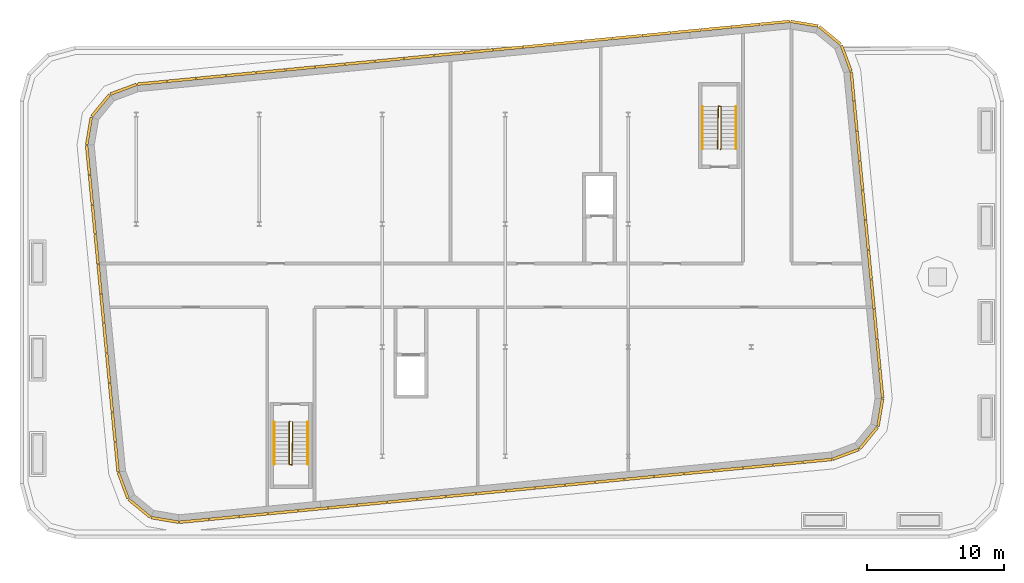
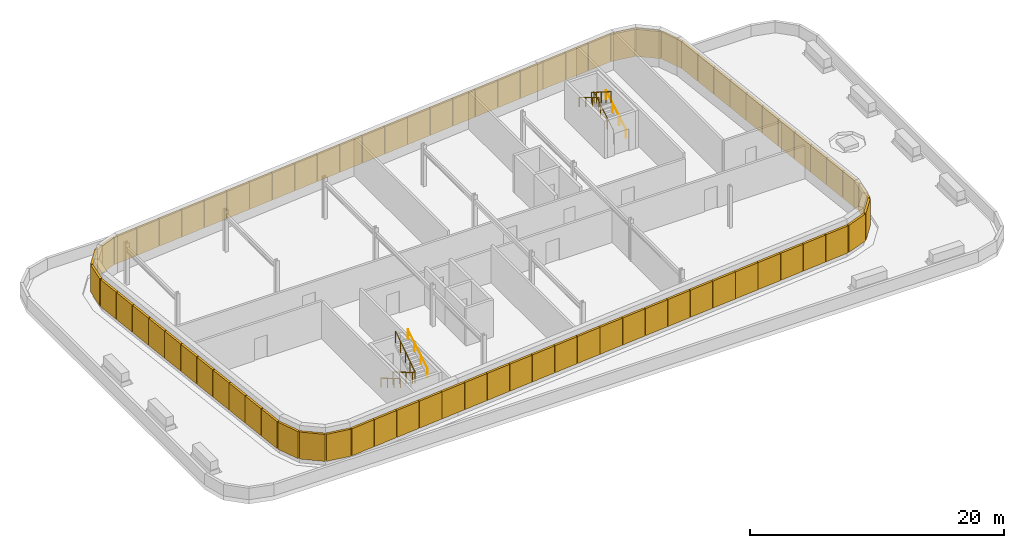
# One storey, part 6 of 7: 78 shading devices, 6 railings.
"""IFC4 building model written with IfcOpenShell, lengths in metres."""

from ifc_helpers import new_model, si_unit, direction, frame, origin, origin_2d, place, context, subcontext, project, spatial, rectangle, circle, extrude, material, type_object, element, save


model = new_model("IFC4")

# Units and contexts
model_context = context("Model", 3, precision=1e-05, world=origin(), true_north=direction((0.0, 1.0)))
body_context = subcontext(model_context, "Body", "Model", "MODEL_VIEW")
ifc_project = project(units=[si_unit("LENGTHUNIT", "METRE"), si_unit("AREAUNIT", "SQUARE_METRE"), si_unit("VOLUMEUNIT", "CUBIC_METRE"), si_unit("PLANEANGLEUNIT", "RADIAN"), si_unit("MASSUNIT", "GRAM", prefix="KILO")], contexts=[model_context])

# Site, building, storey
site_placement = place(None, origin())
site = spatial("IfcSite", under=ifc_project, at=site_placement, CompositionType="ELEMENT")
building_placement = place(site_placement, origin())
building = spatial("IfcBuilding", under=site, at=building_placement, Name="Kajstack Hotel Tower", CompositionType="ELEMENT")
storey_placement = place(building_placement, frame((0.0, 0.0, 317.800048828125)))
storey = spatial("IfcBuildingStorey", under=building, at=storey_placement, Name="L80", CompositionType="ELEMENT", Elevation=317.800048828125)

# Railings
ifc_material = material(Name="Steel S355J2", Category="steel")
railing_type_1 = type_object("IfcRailingType", Name="Stair guard 1100", PredefinedType="GUARDRAIL", material=ifc_material)
railing_1_placement = place(storey_placement, frame((-15.75, -9.949951171875, 0.0)))
element("IfcRailing", 1, at=railing_1_placement, inside=storey, type_object=railing_type_1, Name="L80 W2 stair guard 1", PredefinedType="GUARDRAIL", context=body_context, shape_type="SweptSolid", body=[
    extrude(circle(Radius=0.02392578125, at=origin_2d()), frame((0.0, 0.0, 1.076171875), z_axis=(-0.27662974545, -0.27662974545, 0.920299933644), x_axis=(0.707106781187, -0.707106781187, 0.0)), (0.0, 0.0, 1.0), 0.180908203125),
    extrude(circle(Radius=0.02392578125, at=origin_2d()), frame((-0.050048828125, -0.050048828125, 1.24267578125), z_axis=(0.0, -0.85927862911, 0.511507807912), x_axis=(1.0, 0.0, 0.0)), (0.0, 0.0, 1.0), 3.58447265625),
    extrude(circle(Radius=0.02392578125, at=origin_2d()), frame((-0.050048828125, -3.130126953125, 3.076171875), z_axis=(0.970351222016, -0.241699205484, 0.0), x_axis=(0.241699205484, 0.970351222016, 0.0)), (0.0, 0.0, 1.0), 0.2060546875),
    extrude(circle(Radius=0.02392578125, at=origin_2d()), frame((0.14990234375, -3.179931640625, 3.076171875), z_axis=(0.013473340278, 0.842576694466, 0.538407822236), x_axis=(-0.999872174235, 0.01598859561, 0.0)), (0.0, 0.0, 1.0), 3.714599609375),
    extrude(circle(Radius=0.02099609375, at=origin_2d()), origin(), (0.0, 0.0, 1.0), 1.052001953125),
    extrude(circle(Radius=0.02099609375, at=origin_2d()), frame((-0.050048828125, -0.050048828125, 0.16650390625)), (0.0, 0.0, 1.0), 1.052001953125),
    extrude(circle(Radius=0.02099609375, at=origin_2d()), frame((-0.050048828125, -1.07666015625, 0.777587890625)), (0.0, 0.0, 1.0), 1.052001953125),
    extrude(circle(Radius=0.02099609375, at=origin_2d()), frame((-0.050048828125, -2.103515625, 1.388916015625)), (0.0, 0.0, 1.0), 1.052001953125),
    extrude(circle(Radius=0.02099609375, at=origin_2d()), frame((-0.050048828125, -3.130126953125, 2.0)), (0.0, 0.0, 1.0), 1.052001953125),
    extrude(circle(Radius=0.02099609375, at=origin_2d()), frame((0.14990234375, -3.179931640625, 2.0)), (0.0, 0.0, 1.0), 1.052001953125),
    extrude(circle(Radius=0.02099609375, at=origin_2d()), frame((0.162353515625, -2.3974609375, 2.5)), (0.0, 0.0, 1.0), 1.052001953125),
    extrude(circle(Radius=0.02099609375, at=origin_2d()), frame((0.1748046875, -1.614990234375, 3.0)), (0.0, 0.0, 1.0), 1.052001953125),
    extrude(circle(Radius=0.02099609375, at=origin_2d()), frame((0.1875, -0.83251953125, 3.5)), (0.0, 0.0, 1.0), 1.052001953125),
    extrude(circle(Radius=0.02099609375, at=origin_2d()), frame((0.199951171875, -0.050048828125, 4.0)), (0.0, 0.0, 1.0), 1.052001953125),
])
railing_2_placement = place(storey_placement, frame((15.75, 9.949951171875, 0.0)))
element("IfcRailing", 2, at=railing_2_placement, inside=storey, type_object=railing_type_1, Name="L80 E2 stair guard 1", PredefinedType="GUARDRAIL", context=body_context, shape_type="SweptSolid", body=[
    extrude(circle(Radius=0.02392578125, at=origin_2d()), frame((0.0, 0.0, 1.076171875), z_axis=(0.27662974545, 0.27662974545, 0.920299933644), x_axis=(-0.707106781187, 0.707106781187, 0.0)), (0.0, 0.0, 1.0), 0.180908203125),
    extrude(circle(Radius=0.02392578125, at=origin_2d()), frame((0.050048828125, 0.050048828125, 1.24267578125), z_axis=(0.0, 0.85927862911, 0.511507807912), x_axis=(-1.0, 0.0, 0.0)), (0.0, 0.0, 1.0), 3.58447265625),
    extrude(circle(Radius=0.02392578125, at=origin_2d()), frame((0.050048828125, 3.130126953125, 3.076171875), z_axis=(-0.970351222016, 0.241699205484, 0.0), x_axis=(-0.241699205484, -0.970351222016, 0.0)), (0.0, 0.0, 1.0), 0.2060546875),
    extrude(circle(Radius=0.02392578125, at=origin_2d()), frame((-0.14990234375, 3.179931640625, 3.076171875), z_axis=(-0.013473340278, -0.842576694466, 0.538407822236), x_axis=(0.999872174235, -0.01598859561, 0.0)), (0.0, 0.0, 1.0), 3.714599609375),
    extrude(circle(Radius=0.02099609375, at=origin_2d()), origin(), (0.0, 0.0, 1.0), 1.052001953125),
    extrude(circle(Radius=0.02099609375, at=origin_2d()), frame((0.050048828125, 0.050048828125, 0.16650390625)), (0.0, 0.0, 1.0), 1.052001953125),
    extrude(circle(Radius=0.02099609375, at=origin_2d()), frame((0.050048828125, 1.07666015625, 0.777587890625)), (0.0, 0.0, 1.0), 1.052001953125),
    extrude(circle(Radius=0.02099609375, at=origin_2d()), frame((0.050048828125, 2.103515625, 1.388916015625)), (0.0, 0.0, 1.0), 1.052001953125),
    extrude(circle(Radius=0.02099609375, at=origin_2d()), frame((0.050048828125, 3.130126953125, 2.0)), (0.0, 0.0, 1.0), 1.052001953125),
    extrude(circle(Radius=0.02099609375, at=origin_2d()), frame((-0.14990234375, 3.179931640625, 2.0)), (0.0, 0.0, 1.0), 1.052001953125),
    extrude(circle(Radius=0.02099609375, at=origin_2d()), frame((-0.162353515625, 2.3974609375, 2.5)), (0.0, 0.0, 1.0), 1.052001953125),
    extrude(circle(Radius=0.02099609375, at=origin_2d()), frame((-0.1748046875, 1.614990234375, 3.0)), (0.0, 0.0, 1.0), 1.052001953125),
    extrude(circle(Radius=0.02099609375, at=origin_2d()), frame((-0.1875, 0.83251953125, 3.5)), (0.0, 0.0, 1.0), 1.052001953125),
    extrude(circle(Radius=0.02099609375, at=origin_2d()), frame((-0.199951171875, 0.050048828125, 4.0)), (0.0, 0.0, 1.0), 1.052001953125),
])
railing_type_2 = type_object("IfcRailingType", Name="Stair handrail 900", PredefinedType="HANDRAIL", material=ifc_material)
railing_3_placement = place(storey_placement, frame((-16.89990234375, -10.0, 0.16650390625)))
element("IfcRailing", 3, at=railing_3_placement, inside=storey, type_object=railing_type_2, Name="L80 W2 stair handrail 1", PredefinedType="HANDRAIL", context=body_context, shape_type="SweptSolid", body=[
    extrude(circle(Radius=0.02392578125, at=origin_2d()), frame((0.0, 0.0, 0.8759765625), z_axis=(0.0, -0.85927862911, 0.511507807912), x_axis=(1.0, 0.0, 0.0)), (0.0, 0.0, 1.0), 3.58447265625),
    extrude(circle(Radius=0.02099609375, at=origin_2d()), origin(), (0.0, 0.0, 1.0), 0.851806640625),
    extrude(circle(Radius=0.02099609375, at=origin_2d()), frame((0.0, -1.026611328125, 0.611083984375)), (0.0, 0.0, 1.0), 0.851806640625),
    extrude(circle(Radius=0.02099609375, at=origin_2d()), frame((0.0, -2.053466796875, 1.222412109375)), (0.0, 0.0, 1.0), 0.851806640625),
    extrude(circle(Radius=0.02099609375, at=origin_2d()), frame((0.0, -3.080078125, 1.83349609375)), (0.0, 0.0, 1.0), 0.851806640625),
])
for number, where, name in (
    (4, (-14.449951171875, -13.080078125, 2.16650390625), "L80 W2 stair handrail 2"),
    (5, (16.89990234375, 10.0, 0.16650390625), "L80 E2 stair handrail 1"),
):
    element("IfcRailing", number, at=place(storey_placement, frame(where)), inside=storey, type_object=railing_type_2, Name=name, PredefinedType="HANDRAIL", context=body_context, shape_type="SweptSolid", body=[
        extrude(circle(Radius=0.02392578125, at=origin_2d()), frame((0.0, 0.0, 0.8759765625), z_axis=(0.0, 0.85927862911, 0.511507807912), x_axis=(-1.0, 0.0, 0.0)), (0.0, 0.0, 1.0), 3.58447265625),
        extrude(circle(Radius=0.02099609375, at=origin_2d()), origin(), (0.0, 0.0, 1.0), 0.851806640625),
        extrude(circle(Radius=0.02099609375, at=origin_2d()), frame((0.0, 1.026611328125, 0.611083984375)), (0.0, 0.0, 1.0), 0.851806640625),
        extrude(circle(Radius=0.02099609375, at=origin_2d()), frame((0.0, 2.053466796875, 1.222412109375)), (0.0, 0.0, 1.0), 0.851806640625),
        extrude(circle(Radius=0.02099609375, at=origin_2d()), frame((0.0, 3.080078125, 1.83349609375)), (0.0, 0.0, 1.0), 0.851806640625),
    ])
railing_4_placement = place(storey_placement, frame((14.449951171875, 13.080078125, 2.16650390625)))
element("IfcRailing", 6, at=railing_4_placement, inside=storey, type_object=railing_type_2, Name="L80 E2 stair handrail 2", PredefinedType="HANDRAIL", context=body_context, shape_type="SweptSolid", body=[
    extrude(circle(Radius=0.02392578125, at=origin_2d()), frame((0.0, 0.0, 0.8759765625), z_axis=(0.0, -0.85927862911, 0.511507807912), x_axis=(1.0, 0.0, 0.0)), (0.0, 0.0, 1.0), 3.58447265625),
    extrude(circle(Radius=0.02099609375, at=origin_2d()), origin(), (0.0, 0.0, 1.0), 0.851806640625),
    extrude(circle(Radius=0.02099609375, at=origin_2d()), frame((0.0, -1.026611328125, 0.611083984375)), (0.0, 0.0, 1.0), 0.851806640625),
    extrude(circle(Radius=0.02099609375, at=origin_2d()), frame((0.0, -2.053466796875, 1.222412109375)), (0.0, 0.0, 1.0), 0.851806640625),
    extrude(circle(Radius=0.02099609375, at=origin_2d()), frame((0.0, -3.080078125, 1.83349609375)), (0.0, 0.0, 1.0), 0.851806640625),
])

# Shading devices
for number, where, z_axis, x_axis, name in (
    (7, (-30.51611328125, 9.16552734375, 0.5), (0.0, 0.0, 1.0), (0.095845874131, -0.995396186657, 0.0), "Louvre L80-00-01"),
    (8, (-30.30712890625, 6.993896484375, 0.5), (0.0, 0.0, 1.0), (0.095845874131, -0.995396186657, 0.0), "Louvre L80-00-02"),
    (9, (-30.097900390625, 4.822021484375, 0.5), (0.0, 0.0, 1.0), (0.095845874131, -0.995396186657, 0.0), "Louvre L80-00-03"),
    (10, (-29.888916015625, 2.650390625, 0.5), (0.0, 0.0, 1.0), (0.095845874131, -0.995396186657, 0.0), "Louvre L80-00-04"),
    (11, (-29.6796875, 0.478515625, 0.5), (0.0, 0.0, 1.0), (0.095845874131, -0.995396186657, 0.0), "Louvre L80-00-05"),
    (12, (-29.470703125, -1.693115234375, 0.5), (0.0, 0.0, 1.0), (0.095845874131, -0.995396186657, 0.0), "Louvre L80-00-06"),
    (13, (-29.261474609375, -3.864990234375, 0.5), (0.0, 0.0, 1.0), (0.095845874131, -0.995396186657, 0.0), "Louvre L80-00-07"),
    (14, (-29.05224609375, -6.036865234375, 0.5), (0.0, 0.0, 1.0), (0.095845874131, -0.995396186657, 0.0), "Louvre L80-00-08"),
    (15, (-28.84326171875, -8.20849609375, 0.5), (0.0, 0.0, 1.0), (0.095845874131, -0.995396186657, 0.0), "Louvre L80-00-09"),
    (16, (-28.634033203125, -10.38037109375, 0.5), (0.0, 0.0, 1.0), (0.095845874131, -0.995396186657, 0.0), "Louvre L80-00-10"),
    (17, (-28.425048828125, -12.552001953125, 0.5), (0.0, 0.0, 1.0), (0.095845874131, -0.995396186657, 0.0), "Louvre L80-00-11"),
):
    element("IfcShadingDevice", number, at=place(storey_placement, frame(where, z_axis=z_axis, x_axis=x_axis)), inside=storey, Name=name, ObjectType="LOUVRE", PredefinedType="USERDEFINED", context=body_context, shape_type="SweptSolid", body=[
        extrude(rectangle(XDim=2.141845703125, YDim=0.199951171875, at=origin_2d()), origin(), (0.0, 0.0, 1.0), 2.60009765625),
    ])
for number, where, z_axis, x_axis, name in (
    (18, (-27.951904296875, -14.633056640625, 0.5), (0.0, 0.0, 1.0), (0.350186472063, -0.936680006611, 0.0), "Louvre L80-01-01"),
    (19, (-26.760498046875, -16.303466796875, 0.5), (0.0, 0.0, 1.0), (0.771634596989, -0.636066072614, 0.0), "Louvre L80-02-01"),
    (20, (-24.8935546875, -17.154296875, 0.5), (0.0, 0.0, 1.0), (0.986287986591, -0.165033352708, 0.0), "Louvre L80-03-01"),
):
    element("IfcShadingDevice", number, at=place(storey_placement, frame(where, z_axis=z_axis, x_axis=x_axis)), inside=storey, Name=name, ObjectType="LOUVRE", PredefinedType="USERDEFINED", context=body_context, shape_type="SweptSolid", body=[
        extrude(rectangle(XDim=2.030517578125, YDim=0.199951171875, at=origin_2d()), origin(), (0.0, 0.0, 1.0), 2.60009765625),
    ])
for number, where, z_axis, x_axis, name in (
    (21, (-22.760498046875, -17.2216796875, 0.5), (0.0, 0.0, 1.0), (0.995396186657, 0.095845874131, 0.0), "Louvre L80-04-01"),
    (22, (-20.5888671875, -17.012451171875, 0.5), (0.0, 0.0, 1.0), (0.995396186657, 0.095845874131, 0.0), "Louvre L80-04-02"),
    (23, (-18.4169921875, -16.80322265625, 0.5), (0.0, 0.0, 1.0), (0.995396186657, 0.095845874131, 0.0), "Louvre L80-04-03"),
    (24, (-16.2451171875, -16.59423828125, 0.5), (0.0, 0.0, 1.0), (0.995396186657, 0.095845874131, 0.0), "Louvre L80-04-04"),
    (25, (-14.073486328125, -16.385009765625, 0.5), (0.0, 0.0, 1.0), (0.995396186657, 0.095845874131, 0.0), "Louvre L80-04-05"),
    (26, (-11.901611328125, -16.176025390625, 0.5), (0.0, 0.0, 1.0), (0.995396186657, 0.095845874131, 0.0), "Louvre L80-04-06"),
    (27, (-9.72998046875, -15.966796875, 0.5), (0.0, 0.0, 1.0), (0.995396186657, 0.095845874131, 0.0), "Louvre L80-04-07"),
    (28, (-7.55810546875, -15.7578125, 0.5), (0.0, 0.0, 1.0), (0.995396186657, 0.095845874131, 0.0), "Louvre L80-04-08"),
    (29, (-5.38623046875, -15.548583984375, 0.5), (0.0, 0.0, 1.0), (0.995396186657, 0.095845874131, 0.0), "Louvre L80-04-09"),
    (30, (-3.214599609375, -15.339599609375, 0.5), (0.0, 0.0, 1.0), (0.995396186657, 0.095845874131, 0.0), "Louvre L80-04-10"),
    (31, (-1.042724609375, -15.13037109375, 0.5), (0.0, 0.0, 1.0), (0.995396186657, 0.095845874131, 0.0), "Louvre L80-04-11"),
    (32, (1.12890625, -14.92138671875, 0.5), (0.0, 0.0, 1.0), (0.995396186657, 0.095845874131, 0.0), "Louvre L80-04-12"),
    (33, (3.30078125, -14.712158203125, 0.5), (0.0, 0.0, 1.0), (0.995396186657, 0.095845874131, 0.0), "Louvre L80-04-13"),
    (34, (5.472412109375, -14.5029296875, 0.5), (0.0, 0.0, 1.0), (0.995396186657, 0.095845874131, 0.0), "Louvre L80-04-14"),
    (35, (7.644287109375, -14.2939453125, 0.5), (0.0, 0.0, 1.0), (0.995396186657, 0.095845874131, 0.0), "Louvre L80-04-15"),
    (36, (9.816162109375, -14.084716796875, 0.5), (0.0, 0.0, 1.0), (0.995396186657, 0.095845874131, 0.0), "Louvre L80-04-16"),
    (37, (11.98779296875, -13.875732421875, 0.5), (0.0, 0.0, 1.0), (0.995396186657, 0.095845874131, 0.0), "Louvre L80-04-17"),
    (38, (14.15966796875, -13.66650390625, 0.5), (0.0, 0.0, 1.0), (0.995396186657, 0.095845874131, 0.0), "Louvre L80-04-18"),
    (39, (16.331298828125, -13.45751953125, 0.5), (0.0, 0.0, 1.0), (0.995396186657, 0.095845874131, 0.0), "Louvre L80-04-19"),
    (40, (18.503173828125, -13.248291015625, 0.5), (0.0, 0.0, 1.0), (0.995396186657, 0.095845874131, 0.0), "Louvre L80-04-20"),
    (41, (20.6748046875, -13.039306640625, 0.5), (0.0, 0.0, 1.0), (0.995396186657, 0.095845874131, 0.0), "Louvre L80-04-21"),
    (42, (22.8466796875, -12.830078125, 0.5), (0.0, 0.0, 1.0), (0.995396186657, 0.095845874131, 0.0), "Louvre L80-04-22"),
):
    element("IfcShadingDevice", number, at=place(storey_placement, frame(where, z_axis=z_axis, x_axis=x_axis)), inside=storey, Name=name, ObjectType="LOUVRE", PredefinedType="USERDEFINED", context=body_context, shape_type="SweptSolid", body=[
        extrude(rectangle(XDim=2.141845703125, YDim=0.199951171875, at=origin_2d()), origin(), (0.0, 0.0, 1.0), 2.60009765625),
    ])
for number, where, z_axis, x_axis, name in (
    (43, (24.927734375, -12.357177734375, 0.5), (0.0, 0.0, 1.0), (0.936680006611, 0.350186472063, 0.0), "Louvre L80-05-01"),
    (44, (26.59814453125, -11.165771484375, 0.5), (0.0, 0.0, 1.0), (0.636066072614, 0.771634596989, 0.0), "Louvre L80-06-01"),
    (45, (27.448974609375, -9.298583984375, 0.5), (0.0, 0.0, 1.0), (0.165033352708, 0.986287986591, 0.0), "Louvre L80-07-01"),
):
    element("IfcShadingDevice", number, at=place(storey_placement, frame(where, z_axis=z_axis, x_axis=x_axis)), inside=storey, Name=name, ObjectType="LOUVRE", PredefinedType="USERDEFINED", context=body_context, shape_type="SweptSolid", body=[
        extrude(rectangle(XDim=2.030517578125, YDim=0.199951171875, at=origin_2d()), origin(), (0.0, 0.0, 1.0), 2.60009765625),
    ])
for number, where, z_axis, x_axis, name in (
    (46, (27.51611328125, -7.16552734375, 0.5), (0.0, 0.0, 1.0), (-0.095845874131, 0.995396186657, 0.0), "Louvre L80-08-01"),
    (47, (27.30712890625, -4.993896484375, 0.5), (0.0, 0.0, 1.0), (-0.095845874131, 0.995396186657, 0.0), "Louvre L80-08-02"),
    (48, (27.097900390625, -2.822021484375, 0.5), (0.0, 0.0, 1.0), (-0.095845874131, 0.995396186657, 0.0), "Louvre L80-08-03"),
    (49, (26.888916015625, -0.650390625, 0.5), (0.0, 0.0, 1.0), (-0.095845874131, 0.995396186657, 0.0), "Louvre L80-08-04"),
    (50, (26.6796875, 1.521484375, 0.5), (0.0, 0.0, 1.0), (-0.095845874131, 0.995396186657, 0.0), "Louvre L80-08-05"),
    (51, (26.470703125, 3.693115234375, 0.5), (0.0, 0.0, 1.0), (-0.095845874131, 0.995396186657, 0.0), "Louvre L80-08-06"),
    (52, (26.261474609375, 5.864990234375, 0.5), (0.0, 0.0, 1.0), (-0.095845874131, 0.995396186657, 0.0), "Louvre L80-08-07"),
    (53, (26.05224609375, 8.036865234375, 0.5), (0.0, 0.0, 1.0), (-0.095845874131, 0.995396186657, 0.0), "Louvre L80-08-08"),
    (54, (25.84326171875, 10.20849609375, 0.5), (0.0, 0.0, 1.0), (-0.095845874131, 0.995396186657, 0.0), "Louvre L80-08-09"),
    (55, (25.634033203125, 12.38037109375, 0.5), (0.0, 0.0, 1.0), (-0.095845874131, 0.995396186657, 0.0), "Louvre L80-08-10"),
    (56, (25.425048828125, 14.552001953125, 0.5), (0.0, 0.0, 1.0), (-0.095845874131, 0.995396186657, 0.0), "Louvre L80-08-11"),
):
    element("IfcShadingDevice", number, at=place(storey_placement, frame(where, z_axis=z_axis, x_axis=x_axis)), inside=storey, Name=name, ObjectType="LOUVRE", PredefinedType="USERDEFINED", context=body_context, shape_type="SweptSolid", body=[
        extrude(rectangle(XDim=2.141845703125, YDim=0.199951171875, at=origin_2d()), origin(), (0.0, 0.0, 1.0), 2.60009765625),
    ])
for number, where, z_axis, x_axis, name in (
    (57, (24.951904296875, 16.633056640625, 0.5), (0.0, 0.0, 1.0), (-0.350186472063, 0.936680006611, 0.0), "Louvre L80-09-01"),
    (58, (23.760498046875, 18.303466796875, 0.5), (0.0, 0.0, 1.0), (-0.771634596989, 0.636066072614, 0.0), "Louvre L80-10-01"),
    (59, (21.8935546875, 19.154296875, 0.5), (0.0, 0.0, 1.0), (-0.986287986591, 0.165033352708, 0.0), "Louvre L80-11-01"),
):
    element("IfcShadingDevice", number, at=place(storey_placement, frame(where, z_axis=z_axis, x_axis=x_axis)), inside=storey, Name=name, ObjectType="LOUVRE", PredefinedType="USERDEFINED", context=body_context, shape_type="SweptSolid", body=[
        extrude(rectangle(XDim=2.030517578125, YDim=0.199951171875, at=origin_2d()), origin(), (0.0, 0.0, 1.0), 2.60009765625),
    ])
for number, where, z_axis, x_axis, name in (
    (60, (19.760498046875, 19.2216796875, 0.5), (0.0, 0.0, 1.0), (-0.995396186657, -0.095845874131, 0.0), "Louvre L80-12-01"),
    (61, (17.5888671875, 19.012451171875, 0.5), (0.0, 0.0, 1.0), (-0.995396186657, -0.095845874131, 0.0), "Louvre L80-12-02"),
    (62, (15.4169921875, 18.80322265625, 0.5), (0.0, 0.0, 1.0), (-0.995396186657, -0.095845874131, 0.0), "Louvre L80-12-03"),
    (63, (13.2451171875, 18.59423828125, 0.5), (0.0, 0.0, 1.0), (-0.995396186657, -0.095845874131, 0.0), "Louvre L80-12-04"),
    (64, (11.073486328125, 18.385009765625, 0.5), (0.0, 0.0, 1.0), (-0.995396186657, -0.095845874131, 0.0), "Louvre L80-12-05"),
    (65, (8.901611328125, 18.176025390625, 0.5), (0.0, 0.0, 1.0), (-0.995396186657, -0.095845874131, 0.0), "Louvre L80-12-06"),
    (66, (6.72998046875, 17.966796875, 0.5), (0.0, 0.0, 1.0), (-0.995396186657, -0.095845874131, 0.0), "Louvre L80-12-07"),
    (67, (4.55810546875, 17.7578125, 0.5), (0.0, 0.0, 1.0), (-0.995396186657, -0.095845874131, 0.0), "Louvre L80-12-08"),
    (68, (2.38623046875, 17.548583984375, 0.5), (0.0, 0.0, 1.0), (-0.995396186657, -0.095845874131, 0.0), "Louvre L80-12-09"),
    (69, (0.214599609375, 17.339599609375, 0.5), (0.0, 0.0, 1.0), (-0.995396186657, -0.095845874131, 0.0), "Louvre L80-12-10"),
    (70, (-1.957275390625, 17.13037109375, 0.5), (0.0, 0.0, 1.0), (-0.995396186657, -0.095845874131, 0.0), "Louvre L80-12-11"),
    (71, (-4.12890625, 16.92138671875, 0.5), (0.0, 0.0, 1.0), (-0.995396186657, -0.095845874131, 0.0), "Louvre L80-12-12"),
    (72, (-6.30078125, 16.712158203125, 0.5), (0.0, 0.0, 1.0), (-0.995396186657, -0.095845874131, 0.0), "Louvre L80-12-13"),
    (73, (-8.472412109375, 16.5029296875, 0.5), (0.0, 0.0, 1.0), (-0.995396186657, -0.095845874131, 0.0), "Louvre L80-12-14"),
    (74, (-10.644287109375, 16.2939453125, 0.5), (0.0, 0.0, 1.0), (-0.995396186657, -0.095845874131, 0.0), "Louvre L80-12-15"),
    (75, (-12.816162109375, 16.084716796875, 0.5), (0.0, 0.0, 1.0), (-0.995396186657, -0.095845874131, 0.0), "Louvre L80-12-16"),
    (76, (-14.98779296875, 15.875732421875, 0.5), (0.0, 0.0, 1.0), (-0.995396186657, -0.095845874131, 0.0), "Louvre L80-12-17"),
    (77, (-17.15966796875, 15.66650390625, 0.5), (0.0, 0.0, 1.0), (-0.995396186657, -0.095845874131, 0.0), "Louvre L80-12-18"),
    (78, (-19.331298828125, 15.45751953125, 0.5), (0.0, 0.0, 1.0), (-0.995396186657, -0.095845874131, 0.0), "Louvre L80-12-19"),
    (79, (-21.503173828125, 15.248291015625, 0.5), (0.0, 0.0, 1.0), (-0.995396186657, -0.095845874131, 0.0), "Louvre L80-12-20"),
    (80, (-23.6748046875, 15.039306640625, 0.5), (0.0, 0.0, 1.0), (-0.995396186657, -0.095845874131, 0.0), "Louvre L80-12-21"),
    (81, (-25.8466796875, 14.830078125, 0.5), (0.0, 0.0, 1.0), (-0.995396186657, -0.095845874131, 0.0), "Louvre L80-12-22"),
):
    element("IfcShadingDevice", number, at=place(storey_placement, frame(where, z_axis=z_axis, x_axis=x_axis)), inside=storey, Name=name, ObjectType="LOUVRE", PredefinedType="USERDEFINED", context=body_context, shape_type="SweptSolid", body=[
        extrude(rectangle(XDim=2.141845703125, YDim=0.199951171875, at=origin_2d()), origin(), (0.0, 0.0, 1.0), 2.60009765625),
    ])
for number, where, z_axis, x_axis, name in (
    (82, (-27.927734375, 14.357177734375, 0.5), (0.0, 0.0, 1.0), (-0.936680006611, -0.350186472063, 0.0), "Louvre L80-13-01"),
    (83, (-29.59814453125, 13.165771484375, 0.5), (0.0, 0.0, 1.0), (-0.636066072614, -0.771634596989, 0.0), "Louvre L80-14-01"),
    (84, (-30.448974609375, 11.298583984375, 0.5), (0.0, 0.0, 1.0), (-0.165033352708, -0.986287986591, 0.0), "Louvre L80-15-01"),
):
    element("IfcShadingDevice", number, at=place(storey_placement, frame(where, z_axis=z_axis, x_axis=x_axis)), inside=storey, Name=name, ObjectType="LOUVRE", PredefinedType="USERDEFINED", context=body_context, shape_type="SweptSolid", body=[
        extrude(rectangle(XDim=2.030517578125, YDim=0.199951171875, at=origin_2d()), origin(), (0.0, 0.0, 1.0), 2.60009765625),
    ])

save(model, "model.ifc")
